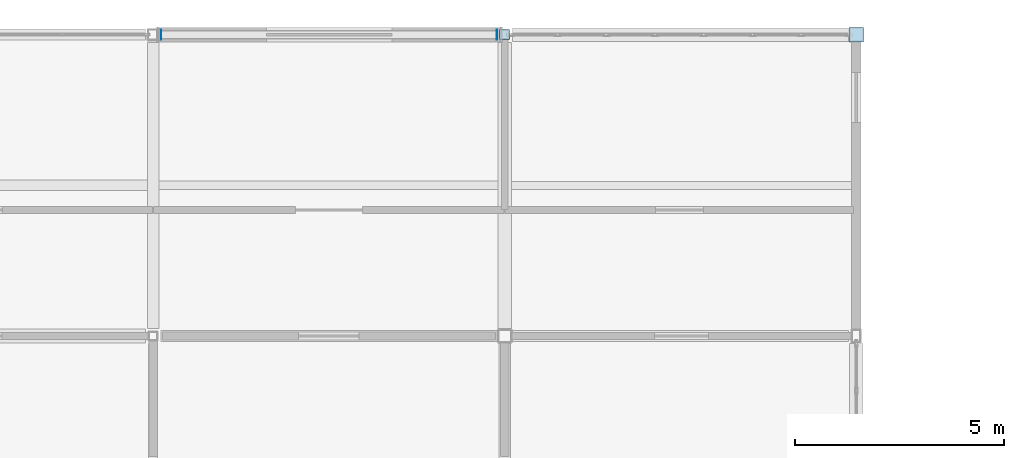
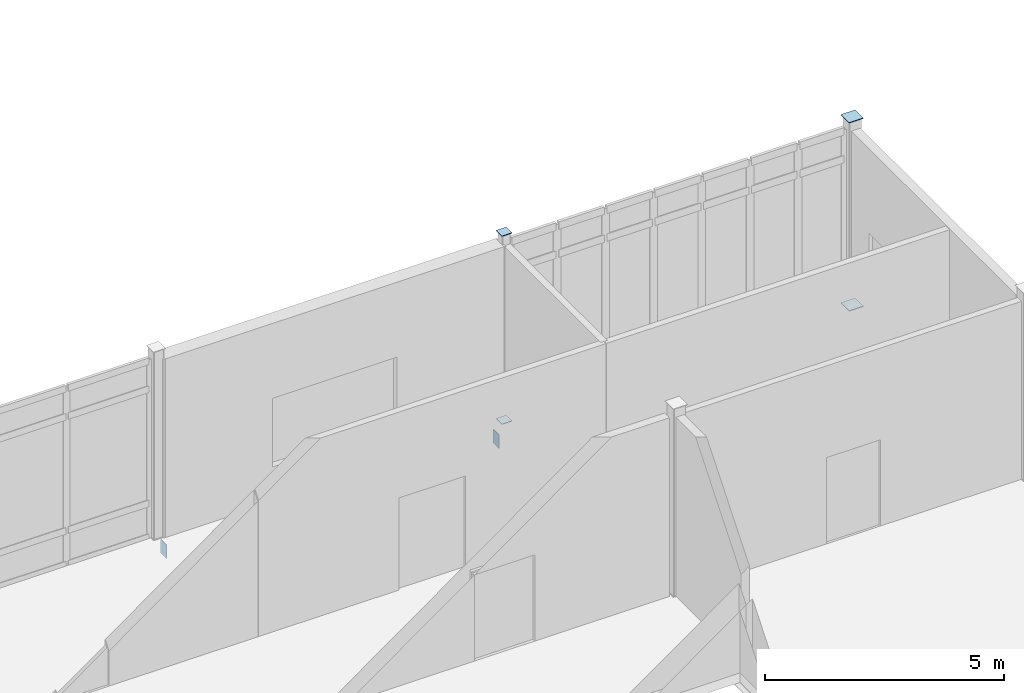
# One storey, part 123 of 153: 6 plates.
"""IFC4 building model written with IfcOpenShell, lengths in metres."""

from ifc_helpers import new_model, si_unit, direction, frame, origin, origin_2d, place, context, subcontext, project, spatial, rectangle, extrude, material, layer, layer_set, type_object, element, save


model = new_model("IFC4")

# Units and contexts
model_context = context("Model", 3, precision=1e-05, world=origin(), true_north=direction((0.0, 1.0)))
body_context = subcontext(model_context, "Body", "Model", "MODEL_VIEW")
ifc_project = project(units=[si_unit("LENGTHUNIT", "METRE"), si_unit("AREAUNIT", "SQUARE_METRE"), si_unit("VOLUMEUNIT", "CUBIC_METRE"), si_unit("PLANEANGLEUNIT", "RADIAN"), si_unit("MASSUNIT", "GRAM", prefix="KILO")], contexts=[model_context])

# Site, building, storey
site_placement = place(None, origin())
site = spatial("IfcSite", under=ifc_project, at=site_placement, CompositionType="ELEMENT")
building_placement = place(site_placement, origin())
building = spatial("IfcBuilding", under=site, at=building_placement, Name="Calvrana Isthmian Art Gallery", CompositionType="ELEMENT")
storey_placement = place(building_placement, frame((0.0, 0.0, 10.199951171875)))
storey = spatial("IfcBuildingStorey", under=building, at=storey_placement, Name="L02", CompositionType="ELEMENT", Elevation=10.199951171875)

# Plates
ifc_material = material(Name="Steel ASTM A572 Gr 50", Category="steel")
ifc_layer = layer(ifc_material, 0.01611328125, Name="Steel ASTM A572 Gr 50")
ifc_layer_set = layer_set([ifc_layer], Name="Steel ASTM A572 Gr 50")
plate_type = type_object("IfcPlateType", Name="PL-CAP-16", PredefinedType="SHEET", material=ifc_layer_set)
for number, where, z_axis, x_axis, name in (
    (1, (55.199951171875, 112.800048828125, -0.008056640625), (0.0, 0.0, 1.0), (1.0, 0.0, 0.0), "Hollow section end cap plate 123"),
    (2, (55.199951171875, 112.800048828125, 4.7919921875), (0.0, 0.0, 1.0), (1.0, 0.0, 0.0), "Hollow section end cap plate 124"),
):
    element("IfcPlate", number, at=place(storey_placement, frame(where, z_axis=z_axis, x_axis=x_axis)), inside=storey, type_object=plate_type, Name=name, PredefinedType="SHEET", context=body_context, shape_type="SweptSolid", body=[
        extrude(rectangle(XDim=0.2431640625, YDim=0.2431640625, at=origin_2d()), origin(), (0.0, 0.0, 1.0), 0.01611328125),
    ])
for number, where, z_axis, x_axis, name in (
    (3, (63.60009765625, 112.800048828125, -0.008056640625), (0.0, 0.0, 1.0), (1.0, 0.0, 0.0), "Hollow section end cap plate 155"),
    (4, (63.60009765625, 112.800048828125, 4.7919921875), (0.0, 0.0, 1.0), (1.0, 0.0, 0.0), "Hollow section end cap plate 156"),
):
    element("IfcPlate", number, at=place(storey_placement, frame(where, z_axis=z_axis, x_axis=x_axis)), inside=storey, type_object=plate_type, Name=name, PredefinedType="SHEET", context=body_context, shape_type="SweptSolid", body=[
        extrude(rectangle(XDim=0.3447265625, YDim=0.3447265625, at=origin_2d()), origin(), (0.0, 0.0, 1.0), 0.01611328125),
    ])
for number, where, z_axis, x_axis, name in (
    (5, (46.986572265625, 112.800048828125, -0.589599609375), (0.0, 0.0, 1.0), (1.0, 0.0, 0.0), "Hollow section end cap plate 467"),
    (6, (55.013427734375, 112.800048828125, -0.589599609375), (0.0, 0.0, 1.0), (1.0, 0.0, 0.0), "Hollow section end cap plate 468"),
):
    element("IfcPlate", number, at=place(storey_placement, frame(where, z_axis=z_axis, x_axis=x_axis)), inside=storey, type_object=plate_type, Name=name, PredefinedType="SHEET", context=body_context, shape_type="SweptSolid", body=[
        extrude(rectangle(XDim=0.01611328125, YDim=0.2431640625, at=origin_2d()), origin(), (0.0, 0.0, 1.0), 0.3447265625),
    ])

save(model, "model.ifc")
